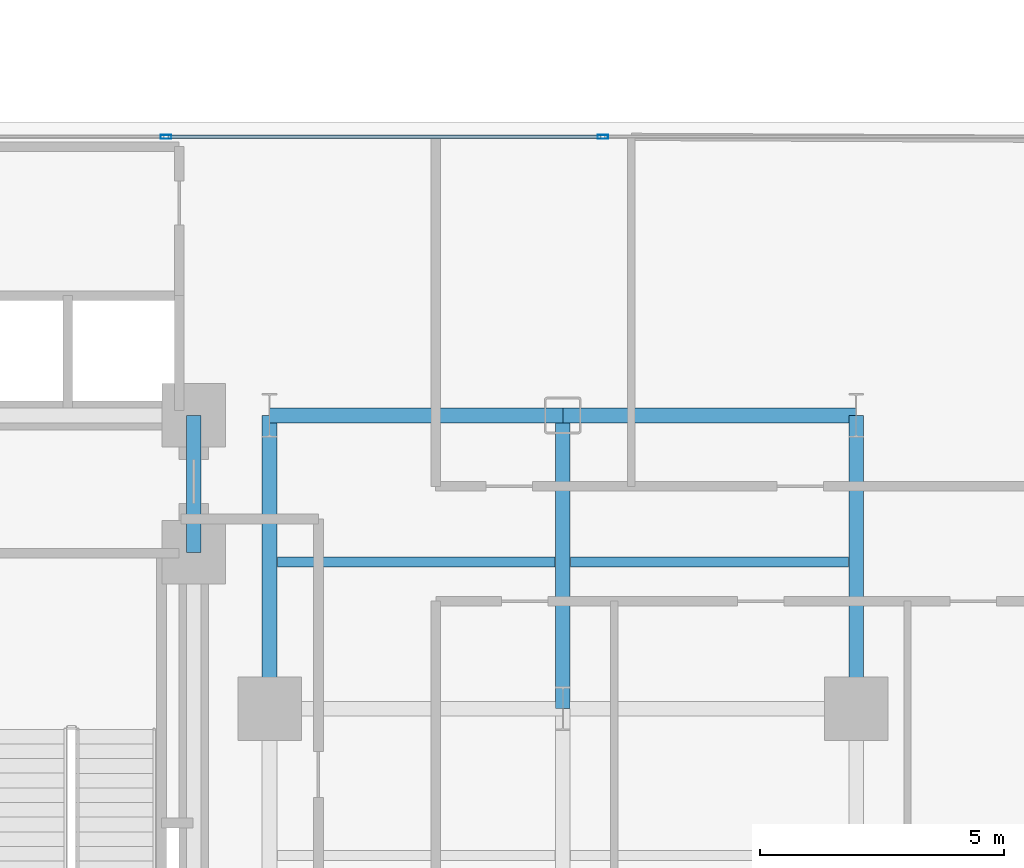
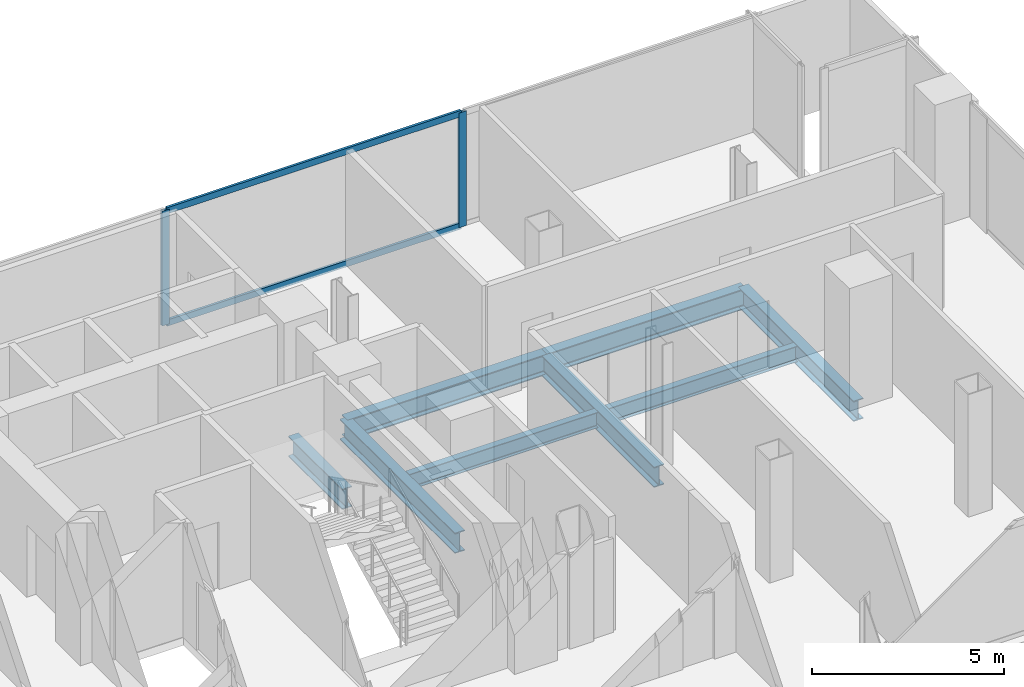
# One storey, part 11 of 25: 8 beams, 4 members, 1 element without a shape of its own.
"""IFC4 building model written with IfcOpenShell, lengths in metres."""

import ifcopenshell
import ifcopenshell.guid

model = None  # the IFC model being written
_history = None  # IfcOwnerHistory: only IFC2X3 demands one
_inside = {}  # id of a spatial element -> (the spatial element, [elements in it])
_under = {}  # id of a project, library or spatial element -> (it, [spatial elements below it])
_declared = {}  # id of a project -> (the project, [libraries it declares])
_typed = {}  # id of a type object -> (the type object, [elements of that type])
_made_of = {}  # id of a material, layer set ... -> (it, [elements and type objects made of it])


def new_model(schema):
    """Start an empty IFC model of exactly this schema.

    Asked for "IFC4X3", IfcOpenShell would pick the latest addendum, in which some entities
    have other attributes; the version numbers below select the first issue.
    IFC2X3 requires an IfcOwnerHistory on every rooted entity: one is made here for all.
    """
    global model, _history
    if schema == "IFC4X3":
        model = ifcopenshell.file(schema_version=(4, 3, 0, 0))
    else:
        model = ifcopenshell.file(schema=schema)
    _inside.clear()
    _under.clear()
    _declared.clear()
    _typed.clear()
    _made_of.clear()
    _history = None
    if model.schema == "IFC2X3":
        org = make("IfcOrganization", Name="unknown")
        user = make(
            "IfcPersonAndOrganization",
            ThePerson=make("IfcPerson", FamilyName="unknown"),
            TheOrganization=org,
        )
        app = make(
            "IfcApplication",
            ApplicationDeveloper=org,
            Version="unknown",
            ApplicationFullName="unknown",
            ApplicationIdentifier="unknown",
        )
        _history = make(
            "IfcOwnerHistory",
            OwningUser=user,
            OwningApplication=app,
            ChangeAction="ADDED",
            CreationDate=0,
        )
    return model


def make(cls, **values):
    """One entity of the class cls with the attributes given. An attribute that is None is left unset."""
    return model.create_entity(
        cls, **{name: value for name, value in values.items() if value is not None}
    )


def rooted(cls, **values):
    """An entity with a GlobalId (a new one), such as an element, a storey or a relation."""
    return make(cls, GlobalId=ifcopenshell.guid.new(), OwnerHistory=_history, **values)


def si_unit(unit_type, name, prefix=None):
    """IfcSIUnit, for example si_unit("LENGTHUNIT", "METRE", prefix="MILLI")."""
    return make("IfcSIUnit", UnitType=unit_type, Prefix=prefix, Name=name)


def assignment(units):
    """IfcUnitAssignment: the units of a project."""
    return None if units is None else make("IfcUnitAssignment", Units=units)


def point(xyz):
    """IfcCartesianPoint."""
    return None if xyz is None else make("IfcCartesianPoint", Coordinates=xyz)


def direction(xyz):
    """IfcDirection."""
    return None if xyz is None else make("IfcDirection", DirectionRatios=xyz)


def frame(location, z_axis=None, x_axis=None):
    """IfcAxis2Placement3D, a coordinate frame: its origin and axes. An axis left out is left unset."""
    return make(
        "IfcAxis2Placement3D",
        Location=point(location),
        Axis=direction(z_axis),
        RefDirection=direction(x_axis),
    )


def frame_2d(location, x_axis=None):
    """IfcAxis2Placement2D, a coordinate frame in the plane: its origin and x axis."""
    return make(
        "IfcAxis2Placement2D", Location=point(location), RefDirection=direction(x_axis)
    )


def origin():
    """The frame at (0, 0, 0) with its axes left unset."""
    return frame((0.0, 0.0, 0.0))


def origin_2d():
    """The frame at (0, 0) in the plane with its x axis left unset."""
    return frame_2d((0.0, 0.0))


def place(relative_to, where):
    """IfcLocalPlacement: puts the frame where relative to a parent placement (None: the world)."""
    return make(
        "IfcLocalPlacement", PlacementRelTo=relative_to, RelativePlacement=where
    )


def context(
    kind, dimensions, precision=None, world=None, true_north=None, identifier=None
):
    """IfcGeometricRepresentationContext, for example the 3D "Model" context."""
    return make(
        "IfcGeometricRepresentationContext",
        ContextIdentifier=identifier,
        ContextType=kind,
        CoordinateSpaceDimension=dimensions,
        Precision=precision,
        WorldCoordinateSystem=world,
        TrueNorth=true_north,
    )


def subcontext(parent, identifier, kind, view, scale=None):
    """IfcGeometricRepresentationSubContext, for example "Body" below "Model"."""
    return make(
        "IfcGeometricRepresentationSubContext",
        ContextIdentifier=identifier,
        ContextType=kind,
        ParentContext=parent,
        TargetScale=scale,
        TargetView=view,
    )


def project(units=None, contexts=None):
    """IfcProject with its units and contexts."""
    return rooted(
        "IfcProject",
        Name="project",
        RepresentationContexts=contexts,
        UnitsInContext=assignment(units),
    )


def spatial(cls, under=None, at=None, **own):
    """A site, building, storey or space (cls), placed at a placement, below another one or the project."""
    s = rooted(cls, ObjectPlacement=at, **own)
    if under is not None:
        _under.setdefault(under.id(), (under, []))[1].append(s)
    return s


def profile(cls, at=None, kind="AREA", **sizes):
    """A parametric profile (cls). Its sizes go by their IFC names, for example OverallWidth=200.0."""
    return make(cls, ProfileType=kind, Position=at, **sizes)


def hollow_rectangle(**sizes):
    """IfcRectangleHollowProfileDef."""
    return profile("IfcRectangleHollowProfileDef", **sizes)


def i_section(**sizes):
    """IfcIShapeProfileDef."""
    return profile("IfcIShapeProfileDef", **sizes)


def extrude(swept, where, along, depth):
    """IfcExtrudedAreaSolid: the profile swept, set in the frame where, extruded along a direction by depth."""
    return make(
        "IfcExtrudedAreaSolid",
        SweptArea=swept,
        Position=where,
        ExtrudedDirection=direction(along),
        Depth=depth,
    )


def shape(context_of_items, identifier, shape_type, items):
    """IfcShapeRepresentation: the items that make up one representation, for example the "Body"."""
    return make(
        "IfcShapeRepresentation",
        ContextOfItems=context_of_items,
        RepresentationIdentifier=identifier,
        RepresentationType=shape_type,
        Items=items,
    )


def material(Name=None, Category=None):
    """IfcMaterial."""
    return make("IfcMaterial", Name=Name, Category=Category)


def layer(
    of_material, thickness, ventilated=None, Name=None, Category=None, Priority=None
):
    """IfcMaterialLayer: one layer of a wall or slab, of a material (None: an air gap)."""
    return make(
        "IfcMaterialLayer",
        Material=of_material,
        LayerThickness=thickness,
        IsVentilated=ventilated,
        Name=Name,
        Category=Category,
        Priority=Priority,
    )


def layer_set(layers, Name=None):
    """IfcMaterialLayerSet."""
    return make("IfcMaterialLayerSet", MaterialLayers=layers, LayerSetName=Name)


def material_profile(
    of_material, cross_section, Name=None, Category=None, Priority=None
):
    """IfcMaterialProfile: a cross section and its material."""
    return make(
        "IfcMaterialProfile",
        Name=Name,
        Material=of_material,
        Profile=cross_section,
        Priority=Priority,
        Category=Category,
    )


def profile_set(profiles, Name=None, composite=None):
    """IfcMaterialProfileSet."""
    return make(
        "IfcMaterialProfileSet",
        Name=Name,
        MaterialProfiles=profiles,
        CompositeProfile=composite,
    )


def made_of(thing, what):
    """Note that an element or type object is made of a material, layer set ...; save() writes the relation."""
    if what is not None:
        _made_of.setdefault(what.id(), (what, []))[1].append(thing)
    return thing


def type_object(cls, material=None, **own):
    """A type object (cls), such as IfcWallType, which elements share."""
    return made_of(rooted(cls, **own), material)


def element(
    cls,
    number,
    at=None,
    inside=None,
    cuts=None,
    type_object=None,
    material=None,
    context=None,
    identifier="Body",
    shape_type=None,
    held_by="IfcProductDefinitionShape",
    body=None,
    shapes=None,
    **own,
):
    """One element of the class cls, such as IfcWall. Its Tag is "e" and its number.

    at: its placement. inside: the storey or other place that contains it. cuts: it is an
    opening in that element (IfcRelVoidsElement). A single representation is given by context,
    identifier, shape_type and body (its items); several are given by shapes. held_by: the class
    of the entity that holds the representations. save() writes the other relations.
    """
    e = rooted(cls, Tag="e%d" % number, ObjectPlacement=at, **own)
    if body is not None:
        shapes = [shape(context, identifier, shape_type, body)]
    if shapes is not None:
        e.Representation = make(held_by, Representations=shapes)
    if inside is not None:
        _inside.setdefault(inside.id(), (inside, []))[1].append(e)
    if cuts is not None:
        rooted(
            "IfcRelVoidsElement", RelatingBuildingElement=cuts, RelatedOpeningElement=e
        )
    if type_object is not None:
        _typed.setdefault(type_object.id(), (type_object, []))[1].append(e)
    return made_of(e, material)


def aggregate(whole, parts):
    """IfcRelAggregates: a whole, such as a stair, and the parts it consists of."""
    return rooted("IfcRelAggregates", RelatingObject=whole, RelatedObjects=parts)


def save(model, path):
    """Write the relations noted so far, then the file.

    IfcRelAggregates (storeys below a building ...), IfcRelContainedInSpatialStructure (elements
    in a storey), IfcRelDefinesByType, IfcRelAssociatesMaterial and IfcRelDeclares: one each for
    every whole, place, type object, material and project.
    """
    for whole, parts in _under.values():
        aggregate(whole, parts)
    for where, things in _inside.values():
        rooted(
            "IfcRelContainedInSpatialStructure",
            RelatedElements=things,
            RelatingStructure=where,
        )
    for kind, things in _typed.values():
        rooted("IfcRelDefinesByType", RelatedObjects=things, RelatingType=kind)
    for what, things in _made_of.values():
        rooted("IfcRelAssociatesMaterial", RelatedObjects=things, RelatingMaterial=what)
    for by, libraries in _declared.values():
        rooted("IfcRelDeclares", RelatingContext=by, RelatedDefinitions=libraries)
    model.write(path)


model = new_model("IFC4")

# Units and contexts
model_context = context("Model", 3, precision=1e-05, world=origin(), true_north=direction((0.0, 1.0)))
body_context = subcontext(model_context, "Body", "Model", "MODEL_VIEW")
ifc_project = project(units=[si_unit("LENGTHUNIT", "METRE"), si_unit("AREAUNIT", "SQUARE_METRE"), si_unit("VOLUMEUNIT", "CUBIC_METRE"), si_unit("PLANEANGLEUNIT", "RADIAN"), si_unit("MASSUNIT", "GRAM", prefix="KILO"), si_unit("THERMODYNAMICTEMPERATUREUNIT", "KELVIN"), si_unit("POWERUNIT", "WATT")], contexts=[model_context])

# Site, building, storey
site_placement = place(None, origin())
site = spatial("IfcSite", under=ifc_project, at=site_placement, CompositionType="ELEMENT")
building_placement = place(site_placement, origin())
building = spatial("IfcBuilding", under=site, at=building_placement, Name="Svarakhadi Broadcast Tower", CompositionType="ELEMENT")
storey_placement = place(building_placement, frame((0.0, 0.0, 63.60009765625)))
storey = spatial("IfcBuildingStorey", under=building, at=storey_placement, Name="L14", CompositionType="ELEMENT", Elevation=63.60009765625)

# Beams
ifc_material_1 = material(Name="Steel S355J2 (IS 2062 E350C)", Category="steel")
ifc_material_profile_1 = material_profile(ifc_material_1, i_section(OverallWidth=0.199951171875, OverallDepth=0.5, WebThickness=0.01025390625, FlangeThickness=0.01611328125, FilletRadius=0.02099609375, at=origin_2d()), Name="NPB 500x200x91")
ifc_profile_set_1 = profile_set([ifc_material_profile_1], Name="Steel S355J2 (IS 2062 E350C)")
beam_type_1 = type_object("IfcBeamType", Name="Beam_NPB500", PredefinedType="BEAM", material=ifc_profile_set_1)
for number, where, z_axis, x_axis, name in (
    (1, (35.31005859375, 15.0, -0.5), (1.0, 0.0, 0.0), (0.0, 1.0, 0.0), "L14 Secondary Composite Beam SB024"),
    (2, (41.31005859375, 15.0, -0.5), (1.0, 0.0, 0.0), (0.0, 1.0, 0.0), "L14 Secondary Composite Beam SB027"),
):
    element("IfcBeam", number, at=place(storey_placement, frame(where, z_axis=z_axis, x_axis=x_axis)), inside=storey, type_object=beam_type_1, Name=name, PredefinedType="BEAM", context=body_context, shape_type="SweptSolid", body=[
        extrude(i_section(OverallWidth=0.199951171875, OverallDepth=0.5, WebThickness=0.01025390625, FlangeThickness=0.01611328125, FilletRadius=0.02099609375, at=origin_2d()), origin(), (0.0, 0.0, 1.0), 5.679931640625),
    ])

# Curtain wall, members
ifc_material_2 = material(Name="Anodised Bronze Aluminium AA 6063-T6", Category="aluminium")
ifc_layer = layer(ifc_material_2, 0.219970703125)
ifc_layer_set = layer_set([ifc_layer], Name="Anodised Bronze Aluminium AA 6063-T6")
curtain_wall_type = type_object("IfcCurtainWallType", Name="CW_Sys_02", PredefinedType="NOTDEFINED", material=ifc_layer_set)
curtain_wall_placement = place(storey_placement, origin())
curtain_wall = element("IfcCurtainWall", 3, at=curtain_wall_placement, inside=storey, type_object=curtain_wall_type, Name="L14 Unitised Facade Curtain Wall 10", PredefinedType="NOTDEFINED")
ifc_material_profile_2 = material_profile(ifc_material_2, hollow_rectangle(XDim=0.0849609375, YDim=0.219970703125, WallThickness=0.006103515625, at=origin_2d()), Name="ALU MULLION 220x85x6")
ifc_profile_set_2 = profile_set([ifc_material_profile_2], Name="Anodised Bronze Aluminium AA 6063-T6")
member_type_1 = type_object("IfcMemberType", Name="CW_Sys_02_Mul", PredefinedType="MULLION", material=ifc_profile_set_2)
member_1_placement = place(storey_placement, frame((33.030029296875, 23.699951171875, 0.0), z_axis=(0.0, 0.0, 1.0), x_axis=(0.0, 1.0, 0.0)))
member_1 = element("IfcMember", 4, at=member_1_placement, type_object=member_type_1, Name="CW-02 mullion 2", PredefinedType="MULLION", context=body_context, shape_type="SweptSolid", body=[
    extrude(hollow_rectangle(XDim=0.0849609375, YDim=0.219970703125, WallThickness=0.006103515625, at=origin_2d()), origin(), (0.0, 0.0, 1.0), 3.64990234375),
])
member_2_placement = place(storey_placement, frame((41.969970703125, 23.699951171875, 0.0), z_axis=(0.0, 0.0, 1.0), x_axis=(0.0, 1.0, 0.0)))
member_2 = element("IfcMember", 5, at=member_2_placement, type_object=member_type_1, Name="CW-02 mullion 3", PredefinedType="MULLION", context=body_context, shape_type="SweptSolid", body=[
    extrude(hollow_rectangle(XDim=0.0849609375, YDim=0.219970703125, WallThickness=0.006103515625, at=origin_2d()), origin(), (0.0, 0.0, 1.0), 3.64990234375),
])
ifc_material_profile_3 = material_profile(ifc_material_2, hollow_rectangle(XDim=0.074951171875, YDim=0.199951171875, WallThickness=0.0048828125, at=origin_2d()), Name="ALU TRANSOM 200x75x5")
ifc_profile_set_3 = profile_set([ifc_material_profile_3], Name="Anodised Bronze Aluminium AA 6063-T6")
member_type_2 = type_object("IfcMemberType", Name="CW_Sys_02_Trn", PredefinedType="USERDEFINED", material=ifc_profile_set_3)
member_3_placement = place(storey_placement, frame((33.072509765625, 23.699951171875, 0.037353515625), z_axis=(1.0, 0.0, 0.0), x_axis=(0.0, 1.0, 0.0)))
member_3 = element("IfcMember", 6, at=member_3_placement, type_object=member_type_2, Name="CW-02 transom 2.1", ObjectType="TRANSOM", PredefinedType="USERDEFINED", context=body_context, shape_type="SweptSolid", body=[
    extrude(hollow_rectangle(XDim=0.074951171875, YDim=0.199951171875, WallThickness=0.0048828125, at=origin_2d()), origin(), (0.0, 0.0, 1.0), 8.85498046875),
])
member_4_placement = place(storey_placement, frame((33.072509765625, 23.699951171875, 3.6123046875), z_axis=(1.0, 0.0, 0.0), x_axis=(0.0, 1.0, 0.0)))
member_4 = element("IfcMember", 7, at=member_4_placement, type_object=member_type_2, Name="CW-02 transom 2.2", ObjectType="TRANSOM", PredefinedType="USERDEFINED", context=body_context, shape_type="SweptSolid", body=[
    extrude(hollow_rectangle(XDim=0.074951171875, YDim=0.199951171875, WallThickness=0.0048828125, at=origin_2d()), origin(), (0.0, 0.0, 1.0), 8.85498046875),
])
aggregate(curtain_wall, [member_1, member_2, member_3, member_4])

# Beams
ifc_material_profile_4 = material_profile(ifc_material_1, i_section(OverallWidth=0.300048828125, OverallDepth=0.64990234375, WebThickness=0.01611328125, FlangeThickness=0.031005859375, FilletRadius=0.027099609375, at=origin_2d()), Name="WPB 650x300x225")
ifc_profile_set_4 = profile_set([ifc_material_profile_4], Name="Steel S355J2 (IS 2062 E350C)")
beam_type_2 = type_object("IfcBeamType", Name="Girder_WPB650", PredefinedType="USERDEFINED", material=ifc_profile_set_4)
for number, where, z_axis, x_axis, name in (
    (8, (35.14990234375, 18.0, -0.5751953125), (1.0, 0.0, 0.0), (0.0, 1.0, 0.0), "L14 Primary E-W Girder G030"),
    (9, (41.14990234375, 18.0, -0.5751953125), (1.0, 0.0, 0.0), (0.0, 1.0, 0.0), "L14 Primary E-W Girder G031"),
):
    element("IfcBeam", number, at=place(storey_placement, frame(where, z_axis=z_axis, x_axis=x_axis)), inside=storey, type_object=beam_type_2, Name=name, ObjectType="GIRDER", PredefinedType="USERDEFINED", context=body_context, shape_type="SweptSolid", body=[
        extrude(i_section(OverallWidth=0.300048828125, OverallDepth=0.64990234375, WebThickness=0.01611328125, FlangeThickness=0.031005859375, FilletRadius=0.027099609375, at=origin_2d()), origin(), (0.0, 0.0, 1.0), 6.0),
    ])
beam_placement = place(storey_placement, frame((33.60009765625, 15.199951171875, -0.5751953125), z_axis=(0.0, 1.0, 0.0), x_axis=(-1.0, 0.0, 0.0)))
element("IfcBeam", 10, at=beam_placement, inside=storey, type_object=beam_type_2, Name="L14 Primary N-S Girder G075", ObjectType="GIRDER", PredefinedType="USERDEFINED", context=body_context, shape_type="SweptSolid", body=[
    extrude(i_section(OverallWidth=0.300048828125, OverallDepth=0.64990234375, WebThickness=0.01611328125, FlangeThickness=0.031005859375, FilletRadius=0.027099609375, at=origin_2d()), origin(), (0.0, 0.0, 1.0), 2.800048828125),
])
for number, where, z_axis, x_axis, name in (
    (11, (35.14990234375, 12.0, -0.5751953125), (0.0, 1.0, 0.0), (-1.0, 0.0, 0.0), "L14 Primary N-S Girder G078"),
    (12, (41.14990234375, 12.0, -0.5751953125), (0.0, 1.0, 0.0), (-1.0, 0.0, 0.0), "L14 Primary N-S Girder G081"),
    (13, (47.14990234375, 12.0, -0.5751953125), (0.0, 1.0, 0.0), (-1.0, 0.0, 0.0), "L14 Primary N-S Girder G084"),
):
    element("IfcBeam", number, at=place(storey_placement, frame(where, z_axis=z_axis, x_axis=x_axis)), inside=storey, type_object=beam_type_2, Name=name, ObjectType="GIRDER", PredefinedType="USERDEFINED", context=body_context, shape_type="SweptSolid", body=[
        extrude(i_section(OverallWidth=0.300048828125, OverallDepth=0.64990234375, WebThickness=0.01611328125, FlangeThickness=0.031005859375, FilletRadius=0.027099609375, at=origin_2d()), origin(), (0.0, 0.0, 1.0), 6.0),
    ])

save(model, "model.ifc")
